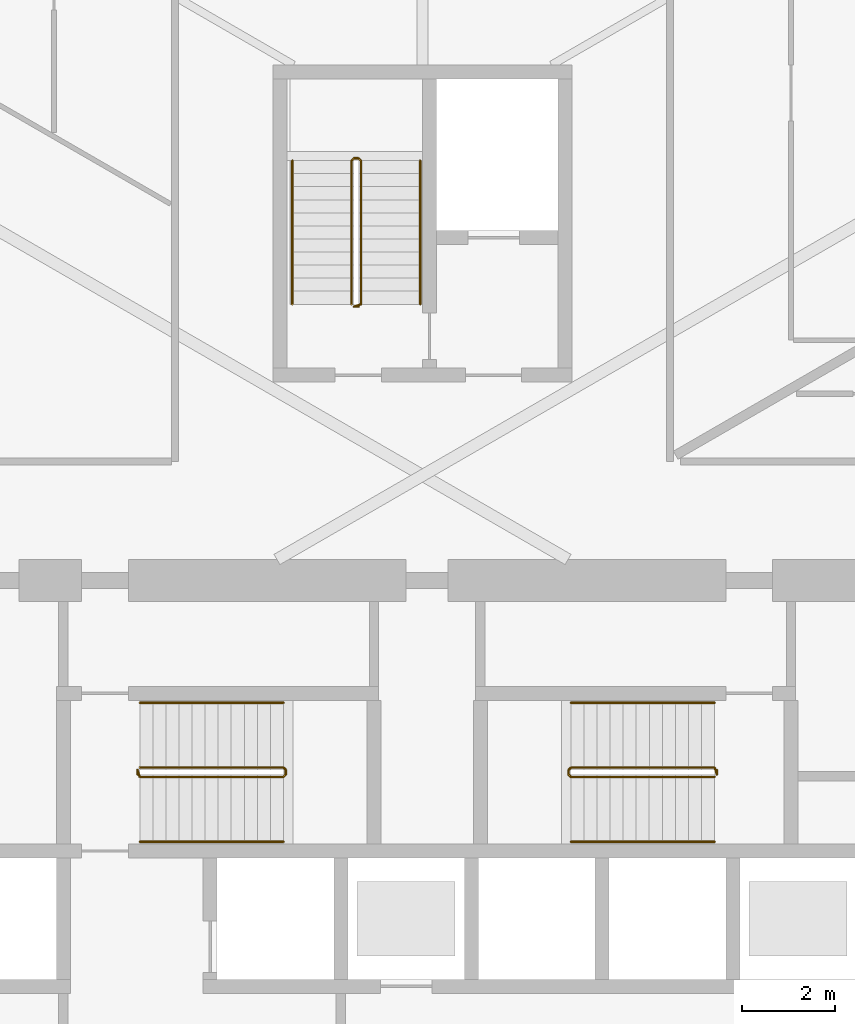
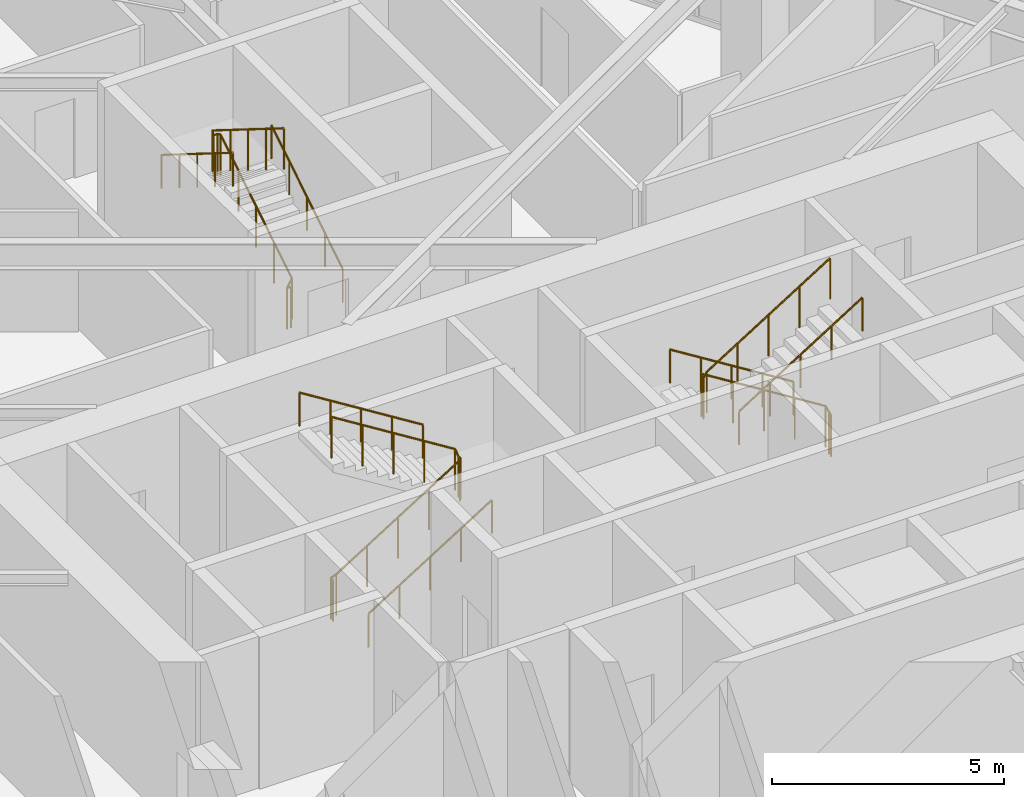
# One storey, part 21 of 22: 9 railings.
"""IFC4 building model written with IfcOpenShell, lengths in metres."""

from ifc_helpers import new_model, si_unit, direction, frame, origin, origin_2d, place, context, subcontext, project, spatial, circle, extrude, material, type_object, element, save


model = new_model("IFC4")

# Units and contexts
model_context = context("Model", 3, precision=1e-05, world=origin(), true_north=direction((0.0, 1.0)))
body_context = subcontext(model_context, "Body", "Model", "MODEL_VIEW")
ifc_project = project(units=[si_unit("LENGTHUNIT", "METRE"), si_unit("AREAUNIT", "SQUARE_METRE"), si_unit("VOLUMEUNIT", "CUBIC_METRE"), si_unit("PLANEANGLEUNIT", "RADIAN"), si_unit("MASSUNIT", "GRAM", prefix="KILO")], contexts=[model_context])

# Site, building, storey
site_placement = place(None, origin())
site = spatial("IfcSite", under=ifc_project, at=site_placement, CompositionType="ELEMENT")
building_placement = place(site_placement, origin())
building = spatial("IfcBuilding", under=site, at=building_placement, Name="Firuza Gate Tower and Library", CompositionType="ELEMENT")
storey_placement = place(building_placement, frame((0.0, 0.0, 111.39990234375)))
storey = spatial("IfcBuildingStorey", under=building, at=storey_placement, Name="L25", CompositionType="ELEMENT", Elevation=111.39990234375)

# Railings
ifc_material_1 = material(Name="Steel S355", Category="steel")
railing_type_1 = type_object("IfcRailingType", Name="Stair guard 1100", PredefinedType="GUARDRAIL", material=ifc_material_1)
railing_1_placement = place(storey_placement, frame((68.889892578125, 79.389892578125, 0.0)))
element("IfcRailing", 1, at=railing_1_placement, inside=storey, type_object=railing_type_1, Name="L25 ST1 stair guard 1", PredefinedType="GUARDRAIL", context=body_context, shape_type="SweptSolid", body=[
    extrude(circle(Radius=0.02392578125, at=origin_2d()), frame((0.0, 0.0, 1.076171875), z_axis=(0.0, 1.0, 0.0), x_axis=(-1.0, 0.0, 0.0)), (0.0, 0.0, 1.0), 0.10009765625),
    extrude(circle(Radius=0.02392578125, at=origin_2d()), frame((0.0, 0.10009765625, 1.076171875), z_axis=(0.21222055169, -0.635626432867, 0.742254319813), x_axis=(0.948528701346, 0.316691178788, 0.0)), (0.0, 0.0, 1.0), 0.23583984375),
    extrude(circle(Radius=0.02392578125, at=origin_2d()), frame((0.050048828125, -0.0498046875, 1.2509765625), z_axis=(0.847998304005, 0.0, 0.529998940003), x_axis=(0.0, 1.0, 0.0)), (0.0, 0.0, 1.0), 3.632080078125),
    extrude(circle(Radius=0.02392578125, at=origin_2d()), frame((3.130126953125, -0.0498046875, 3.17626953125), z_axis=(0.708833529934, 0.705375805398, 0.0), x_axis=(-0.705375805398, 0.708833529934, 0.0)), (0.0, 0.0, 1.0), 0.070556640625),
    extrude(circle(Radius=0.02392578125, at=origin_2d()), frame((3.18017578125, 0.0, 3.17626953125), z_axis=(0.0, 1.0, 0.0), x_axis=(-1.0, 0.0, 0.0)), (0.0, 0.0, 1.0), 0.10009765625),
    extrude(circle(Radius=0.02392578125, at=origin_2d()), frame((3.18017578125, 0.10009765625, 3.17626953125), z_axis=(-0.265065253269, 0.265065253269, 0.927081885822), x_axis=(-0.707106781187, -0.707106781187, 0.0)), (0.0, 0.0, 1.0), 0.188720703125),
    extrude(circle(Radius=0.02392578125, at=origin_2d()), frame((3.130126953125, 0.150146484375, 3.35107421875), z_axis=(-0.847998304005, 0.0, 0.529998940003), x_axis=(0.0, -1.0, 0.0)), (0.0, 0.0, 1.0), 3.632080078125),
    extrude(circle(Radius=0.02099609375, at=origin_2d()), origin(), (0.0, 0.0, 1.0), 1.052001953125),
    extrude(circle(Radius=0.02099609375, at=origin_2d()), frame((0.0, 0.10009765625, 0.0)), (0.0, 0.0, 1.0), 1.052001953125),
    extrude(circle(Radius=0.02099609375, at=origin_2d()), frame((0.050048828125, -0.0498046875, 0.175048828125)), (0.0, 0.0, 1.0), 1.052001953125),
    extrude(circle(Radius=0.02099609375, at=origin_2d()), frame((0.820068359375, -0.0498046875, 0.65625)), (0.0, 0.0, 1.0), 1.052001953125),
    extrude(circle(Radius=0.02099609375, at=origin_2d()), frame((1.590087890625, -0.0498046875, 1.1376953125)), (0.0, 0.0, 1.0), 1.052001953125),
    extrude(circle(Radius=0.02099609375, at=origin_2d()), frame((2.360107421875, -0.0498046875, 1.618896484375)), (0.0, 0.0, 1.0), 1.052001953125),
    extrude(circle(Radius=0.02099609375, at=origin_2d()), frame((3.130126953125, -0.0498046875, 2.10009765625)), (0.0, 0.0, 1.0), 1.052001953125),
    extrude(circle(Radius=0.02099609375, at=origin_2d()), frame((3.18017578125, 0.0, 2.10009765625)), (0.0, 0.0, 1.0), 1.052001953125),
    extrude(circle(Radius=0.02099609375, at=origin_2d()), frame((3.18017578125, 0.10009765625, 2.10009765625)), (0.0, 0.0, 1.0), 1.052001953125),
    extrude(circle(Radius=0.02099609375, at=origin_2d()), frame((3.130126953125, 0.150146484375, 2.275146484375)), (0.0, 0.0, 1.0), 1.052001953125),
    extrude(circle(Radius=0.02099609375, at=origin_2d()), frame((2.360107421875, 0.150146484375, 2.75634765625)), (0.0, 0.0, 1.0), 1.052001953125),
    extrude(circle(Radius=0.02099609375, at=origin_2d()), frame((1.590087890625, 0.150146484375, 3.23779296875)), (0.0, 0.0, 1.0), 1.052001953125),
    extrude(circle(Radius=0.02099609375, at=origin_2d()), frame((0.820068359375, 0.150146484375, 3.718994140625)), (0.0, 0.0, 1.0), 1.052001953125),
    extrude(circle(Radius=0.02099609375, at=origin_2d()), frame((0.050048828125, 0.150146484375, 4.2001953125)), (0.0, 0.0, 1.0), 1.052001953125),
])
railing_2_placement = place(storey_placement, frame((81.31005859375, 79.489990234375, 0.0)))
element("IfcRailing", 2, at=railing_2_placement, inside=storey, type_object=railing_type_1, Name="L25 ST2 stair guard 1", PredefinedType="GUARDRAIL", context=body_context, shape_type="SweptSolid", body=[
    extrude(circle(Radius=0.02392578125, at=origin_2d()), frame((0.0, 0.0, 1.076171875), z_axis=(0.0, -1.0, 0.0), x_axis=(1.0, 0.0, 0.0)), (0.0, 0.0, 1.0), 0.10009765625),
    extrude(circle(Radius=0.02392578125, at=origin_2d()), frame((0.0, -0.10009765625, 1.076171875), z_axis=(-0.212080931658, 0.636242794973, 0.741765990237), x_axis=(-0.948683298051, -0.316227766017, 0.0)), (0.0, 0.0, 1.0), 0.236083984375),
    extrude(circle(Radius=0.02392578125, at=origin_2d()), frame((-0.050048828125, 0.050048828125, 1.2509765625), z_axis=(-0.847998304005, 0.0, 0.529998940003), x_axis=(0.0, -1.0, 0.0)), (0.0, 0.0, 1.0), 3.632080078125),
    extrude(circle(Radius=0.02392578125, at=origin_2d()), frame((-3.130126953125, 0.050048828125, 3.17626953125), z_axis=(-0.707106781187, -0.707106781187, 0.0), x_axis=(0.707106781187, -0.707106781187, 0.0)), (0.0, 0.0, 1.0), 0.07080078125),
    extrude(circle(Radius=0.02392578125, at=origin_2d()), frame((-3.18017578125, 0.0, 3.17626953125), z_axis=(0.0, -1.0, 0.0), x_axis=(1.0, 0.0, 0.0)), (0.0, 0.0, 1.0), 0.10009765625),
    extrude(circle(Radius=0.02392578125, at=origin_2d()), frame((-3.18017578125, -0.10009765625, 3.17626953125), z_axis=(0.265155923931, -0.263862480399, 0.927399011991), x_axis=(0.705375805398, 0.708833529934, 0.0)), (0.0, 0.0, 1.0), 0.188720703125),
    extrude(circle(Radius=0.02392578125, at=origin_2d()), frame((-3.130126953125, -0.14990234375, 3.35107421875), z_axis=(0.847998304005, 0.0, 0.529998940003), x_axis=(0.0, 1.0, 0.0)), (0.0, 0.0, 1.0), 3.632080078125),
    extrude(circle(Radius=0.02099609375, at=origin_2d()), origin(), (0.0, 0.0, 1.0), 1.052001953125),
    extrude(circle(Radius=0.02099609375, at=origin_2d()), frame((0.0, -0.10009765625, 0.0)), (0.0, 0.0, 1.0), 1.052001953125),
    extrude(circle(Radius=0.02099609375, at=origin_2d()), frame((-0.050048828125, 0.050048828125, 0.175048828125)), (0.0, 0.0, 1.0), 1.052001953125),
    extrude(circle(Radius=0.02099609375, at=origin_2d()), frame((-0.820068359375, 0.050048828125, 0.65625)), (0.0, 0.0, 1.0), 1.052001953125),
    extrude(circle(Radius=0.02099609375, at=origin_2d()), frame((-1.590087890625, 0.050048828125, 1.1376953125)), (0.0, 0.0, 1.0), 1.052001953125),
    extrude(circle(Radius=0.02099609375, at=origin_2d()), frame((-2.360107421875, 0.050048828125, 1.618896484375)), (0.0, 0.0, 1.0), 1.052001953125),
    extrude(circle(Radius=0.02099609375, at=origin_2d()), frame((-3.130126953125, 0.050048828125, 2.10009765625)), (0.0, 0.0, 1.0), 1.052001953125),
    extrude(circle(Radius=0.02099609375, at=origin_2d()), frame((-3.18017578125, 0.0, 2.10009765625)), (0.0, 0.0, 1.0), 1.052001953125),
    extrude(circle(Radius=0.02099609375, at=origin_2d()), frame((-3.18017578125, -0.10009765625, 2.10009765625)), (0.0, 0.0, 1.0), 1.052001953125),
    extrude(circle(Radius=0.02099609375, at=origin_2d()), frame((-3.130126953125, -0.14990234375, 2.275146484375)), (0.0, 0.0, 1.0), 1.052001953125),
    extrude(circle(Radius=0.02099609375, at=origin_2d()), frame((-2.360107421875, -0.14990234375, 2.75634765625)), (0.0, 0.0, 1.0), 1.052001953125),
    extrude(circle(Radius=0.02099609375, at=origin_2d()), frame((-1.590087890625, -0.14990234375, 3.23779296875)), (0.0, 0.0, 1.0), 1.052001953125),
    extrude(circle(Radius=0.02099609375, at=origin_2d()), frame((-0.820068359375, -0.14990234375, 3.718994140625)), (0.0, 0.0, 1.0), 1.052001953125),
    extrude(circle(Radius=0.02099609375, at=origin_2d()), frame((-0.050048828125, -0.14990234375, 4.2001953125)), (0.0, 0.0, 1.0), 1.052001953125),
])
railing_3_placement = place(storey_placement, frame((73.6298828125, 89.419921875, 0.0)))
element("IfcRailing", 3, at=railing_3_placement, inside=storey, type_object=railing_type_1, Name="L25 ST3 stair guard 1", PredefinedType="GUARDRAIL", context=body_context, shape_type="SweptSolid", body=[
    extrude(circle(Radius=0.02392578125, at=origin_2d()), frame((0.0, 0.0, 1.076171875), z_axis=(-1.0, 0.0, 0.0), x_axis=(0.0, -1.0, 0.0)), (0.0, 0.0, 1.0), 0.099853515625),
    extrude(circle(Radius=0.02392578125, at=origin_2d()), frame((-0.099853515625, 0.0, 1.076171875), z_axis=(0.635626432867, 0.21222055169, 0.742254319813), x_axis=(-0.316691178788, 0.948528701346, 0.0)), (0.0, 0.0, 1.0), 0.23583984375),
    extrude(circle(Radius=0.02392578125, at=origin_2d()), frame((0.050048828125, 0.050048828125, 1.2509765625), z_axis=(0.0, 0.847998304005, 0.529998940003), x_axis=(-1.0, 0.0, 0.0)), (0.0, 0.0, 1.0), 3.632080078125),
    extrude(circle(Radius=0.02392578125, at=origin_2d()), frame((0.050048828125, 3.130126953125, 3.17626953125), z_axis=(-0.707106781187, 0.707106781187, 0.0), x_axis=(-0.707106781187, -0.707106781187, 0.0)), (0.0, 0.0, 1.0), 0.07080078125),
    extrude(circle(Radius=0.02392578125, at=origin_2d()), frame((0.0, 3.18017578125, 3.17626953125), z_axis=(-1.0, 0.0, 0.0), x_axis=(0.0, -1.0, 0.0)), (0.0, 0.0, 1.0), 0.099853515625),
    extrude(circle(Radius=0.02392578125, at=origin_2d()), frame((-0.099853515625, 3.18017578125, 3.17626953125), z_axis=(-0.265065253269, -0.265065253269, 0.927081885822), x_axis=(0.707106781187, -0.707106781187, 0.0)), (0.0, 0.0, 1.0), 0.188720703125),
    extrude(circle(Radius=0.02392578125, at=origin_2d()), frame((-0.14990234375, 3.130126953125, 3.35107421875), z_axis=(0.0, -0.847998304005, 0.529998940003), x_axis=(1.0, 0.0, 0.0)), (0.0, 0.0, 1.0), 3.632080078125),
    extrude(circle(Radius=0.02099609375, at=origin_2d()), origin(), (0.0, 0.0, 1.0), 1.052001953125),
    extrude(circle(Radius=0.02099609375, at=origin_2d()), frame((-0.099853515625, 0.0, 0.0)), (0.0, 0.0, 1.0), 1.052001953125),
    extrude(circle(Radius=0.02099609375, at=origin_2d()), frame((0.050048828125, 0.050048828125, 0.175048828125)), (0.0, 0.0, 1.0), 1.052001953125),
    extrude(circle(Radius=0.02099609375, at=origin_2d()), frame((0.050048828125, 0.820068359375, 0.65625)), (0.0, 0.0, 1.0), 1.052001953125),
    extrude(circle(Radius=0.02099609375, at=origin_2d()), frame((0.050048828125, 1.590087890625, 1.1376953125)), (0.0, 0.0, 1.0), 1.052001953125),
    extrude(circle(Radius=0.02099609375, at=origin_2d()), frame((0.050048828125, 2.360107421875, 1.618896484375)), (0.0, 0.0, 1.0), 1.052001953125),
    extrude(circle(Radius=0.02099609375, at=origin_2d()), frame((0.050048828125, 3.130126953125, 2.10009765625)), (0.0, 0.0, 1.0), 1.052001953125),
    extrude(circle(Radius=0.02099609375, at=origin_2d()), frame((0.0, 3.18017578125, 2.10009765625)), (0.0, 0.0, 1.0), 1.052001953125),
    extrude(circle(Radius=0.02099609375, at=origin_2d()), frame((-0.099853515625, 3.18017578125, 2.10009765625)), (0.0, 0.0, 1.0), 1.052001953125),
    extrude(circle(Radius=0.02099609375, at=origin_2d()), frame((-0.14990234375, 3.130126953125, 2.275146484375)), (0.0, 0.0, 1.0), 1.052001953125),
    extrude(circle(Radius=0.02099609375, at=origin_2d()), frame((-0.14990234375, 2.360107421875, 2.75634765625)), (0.0, 0.0, 1.0), 1.052001953125),
    extrude(circle(Radius=0.02099609375, at=origin_2d()), frame((-0.14990234375, 1.590087890625, 3.23779296875)), (0.0, 0.0, 1.0), 1.052001953125),
    extrude(circle(Radius=0.02099609375, at=origin_2d()), frame((-0.14990234375, 0.820068359375, 3.718994140625)), (0.0, 0.0, 1.0), 1.052001953125),
    extrude(circle(Radius=0.02099609375, at=origin_2d()), frame((-0.14990234375, 0.050048828125, 4.2001953125)), (0.0, 0.0, 1.0), 1.052001953125),
])
ifc_material_2 = material(Name="Steel S355", Category="steel")
railing_type_2 = type_object("IfcRailingType", Name="Stair handrail 900", PredefinedType="HANDRAIL", material=ifc_material_2)
railing_4_placement = place(storey_placement, frame((68.93994140625, 77.949951171875, 0.175048828125)))
element("IfcRailing", 4, at=railing_4_placement, inside=storey, type_object=railing_type_2, Name="L25 ST1 stair handrail 1", PredefinedType="HANDRAIL", context=body_context, shape_type="SweptSolid", body=[
    extrude(circle(Radius=0.02392578125, at=origin_2d()), frame((0.0, 0.0, 0.8759765625), z_axis=(0.847998304005, 0.0, 0.529998940003), x_axis=(0.0, 1.0, 0.0)), (0.0, 0.0, 1.0), 3.632080078125),
    extrude(circle(Radius=0.02099609375, at=origin_2d()), origin(), (0.0, 0.0, 1.0), 0.851806640625),
    extrude(circle(Radius=0.02099609375, at=origin_2d()), frame((0.77001953125, 0.0, 0.481201171875)), (0.0, 0.0, 1.0), 0.851806640625),
    extrude(circle(Radius=0.02099609375, at=origin_2d()), frame((1.5400390625, 0.0, 0.96240234375)), (0.0, 0.0, 1.0), 0.851806640625),
    extrude(circle(Radius=0.02099609375, at=origin_2d()), frame((2.31005859375, 0.0, 1.44384765625)), (0.0, 0.0, 1.0), 0.851806640625),
    extrude(circle(Radius=0.02099609375, at=origin_2d()), frame((3.080078125, 0.0, 1.925048828125)), (0.0, 0.0, 1.0), 0.851806640625),
])
for number, where, name in (
    (5, (72.02001953125, 80.929931640625, 2.275146484375), "L25 ST1 stair handrail 2"),
    (6, (81.260009765625, 80.929931640625, 0.175048828125), "L25 ST2 stair handrail 1"),
):
    element("IfcRailing", number, at=place(storey_placement, frame(where)), inside=storey, type_object=railing_type_2, Name=name, PredefinedType="HANDRAIL", context=body_context, shape_type="SweptSolid", body=[
        extrude(circle(Radius=0.02392578125, at=origin_2d()), frame((0.0, 0.0, 0.8759765625), z_axis=(-0.847998304005, 0.0, 0.529998940003), x_axis=(0.0, -1.0, 0.0)), (0.0, 0.0, 1.0), 3.632080078125),
        extrude(circle(Radius=0.02099609375, at=origin_2d()), origin(), (0.0, 0.0, 1.0), 0.851806640625),
        extrude(circle(Radius=0.02099609375, at=origin_2d()), frame((-0.77001953125, 0.0, 0.481201171875)), (0.0, 0.0, 1.0), 0.851806640625),
        extrude(circle(Radius=0.02099609375, at=origin_2d()), frame((-1.5400390625, 0.0, 0.96240234375)), (0.0, 0.0, 1.0), 0.851806640625),
        extrude(circle(Radius=0.02099609375, at=origin_2d()), frame((-2.31005859375, 0.0, 1.44384765625)), (0.0, 0.0, 1.0), 0.851806640625),
        extrude(circle(Radius=0.02099609375, at=origin_2d()), frame((-3.080078125, 0.0, 1.925048828125)), (0.0, 0.0, 1.0), 0.851806640625),
    ])
railing_5_placement = place(storey_placement, frame((78.179931640625, 77.949951171875, 2.275146484375)))
element("IfcRailing", 7, at=railing_5_placement, inside=storey, type_object=railing_type_2, Name="L25 ST2 stair handrail 2", PredefinedType="HANDRAIL", context=body_context, shape_type="SweptSolid", body=[
    extrude(circle(Radius=0.02392578125, at=origin_2d()), frame((0.0, 0.0, 0.8759765625), z_axis=(0.847998304005, 0.0, 0.529998940003), x_axis=(0.0, 1.0, 0.0)), (0.0, 0.0, 1.0), 3.632080078125),
    extrude(circle(Radius=0.02099609375, at=origin_2d()), origin(), (0.0, 0.0, 1.0), 0.851806640625),
    extrude(circle(Radius=0.02099609375, at=origin_2d()), frame((0.77001953125, 0.0, 0.481201171875)), (0.0, 0.0, 1.0), 0.851806640625),
    extrude(circle(Radius=0.02099609375, at=origin_2d()), frame((1.5400390625, 0.0, 0.96240234375)), (0.0, 0.0, 1.0), 0.851806640625),
    extrude(circle(Radius=0.02099609375, at=origin_2d()), frame((2.31005859375, 0.0, 1.44384765625)), (0.0, 0.0, 1.0), 0.851806640625),
    extrude(circle(Radius=0.02099609375, at=origin_2d()), frame((3.080078125, 0.0, 1.925048828125)), (0.0, 0.0, 1.0), 0.851806640625),
])
railing_6_placement = place(storey_placement, frame((74.949951171875, 89.469970703125, 0.175048828125)))
element("IfcRailing", 8, at=railing_6_placement, inside=storey, type_object=railing_type_2, Name="L25 ST3 stair handrail 1", PredefinedType="HANDRAIL", context=body_context, shape_type="SweptSolid", body=[
    extrude(circle(Radius=0.02392578125, at=origin_2d()), frame((0.0, 0.0, 0.8759765625), z_axis=(0.0, 0.847998304005, 0.529998940003), x_axis=(-1.0, 0.0, 0.0)), (0.0, 0.0, 1.0), 3.632080078125),
    extrude(circle(Radius=0.02099609375, at=origin_2d()), origin(), (0.0, 0.0, 1.0), 0.851806640625),
    extrude(circle(Radius=0.02099609375, at=origin_2d()), frame((0.0, 0.77001953125, 0.481201171875)), (0.0, 0.0, 1.0), 0.851806640625),
    extrude(circle(Radius=0.02099609375, at=origin_2d()), frame((0.0, 1.5400390625, 0.96240234375)), (0.0, 0.0, 1.0), 0.851806640625),
    extrude(circle(Radius=0.02099609375, at=origin_2d()), frame((0.0, 2.31005859375, 1.44384765625)), (0.0, 0.0, 1.0), 0.851806640625),
    extrude(circle(Radius=0.02099609375, at=origin_2d()), frame((0.0, 3.080078125, 1.925048828125)), (0.0, 0.0, 1.0), 0.851806640625),
])
railing_7_placement = place(storey_placement, frame((72.2099609375, 92.550048828125, 2.275146484375)))
element("IfcRailing", 9, at=railing_7_placement, inside=storey, type_object=railing_type_2, Name="L25 ST3 stair handrail 2", PredefinedType="HANDRAIL", context=body_context, shape_type="SweptSolid", body=[
    extrude(circle(Radius=0.02392578125, at=origin_2d()), frame((0.0, 0.0, 0.8759765625), z_axis=(0.0, -0.847998304005, 0.529998940003), x_axis=(1.0, 0.0, 0.0)), (0.0, 0.0, 1.0), 3.632080078125),
    extrude(circle(Radius=0.02099609375, at=origin_2d()), origin(), (0.0, 0.0, 1.0), 0.851806640625),
    extrude(circle(Radius=0.02099609375, at=origin_2d()), frame((0.0, -0.77001953125, 0.481201171875)), (0.0, 0.0, 1.0), 0.851806640625),
    extrude(circle(Radius=0.02099609375, at=origin_2d()), frame((0.0, -1.5400390625, 0.96240234375)), (0.0, 0.0, 1.0), 0.851806640625),
    extrude(circle(Radius=0.02099609375, at=origin_2d()), frame((0.0, -2.31005859375, 1.44384765625)), (0.0, 0.0, 1.0), 0.851806640625),
    extrude(circle(Radius=0.02099609375, at=origin_2d()), frame((0.0, -3.080078125, 1.925048828125)), (0.0, 0.0, 1.0), 0.851806640625),
])

save(model, "model.ifc")
